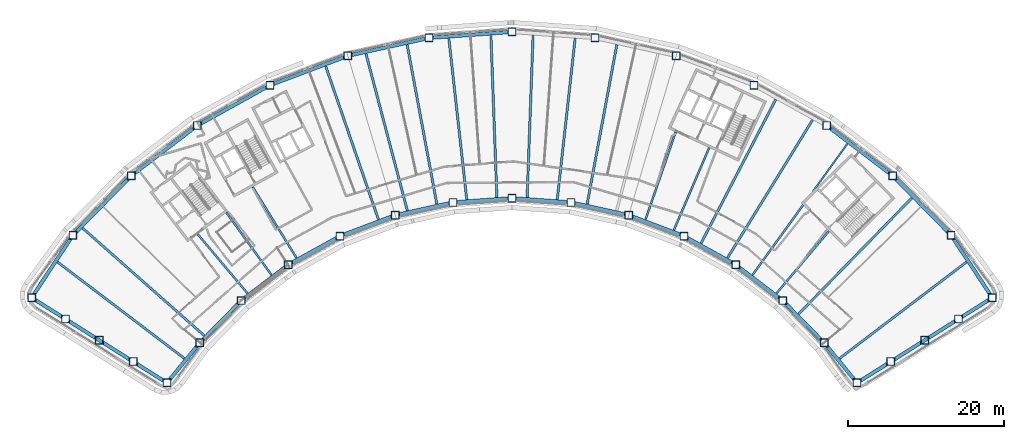
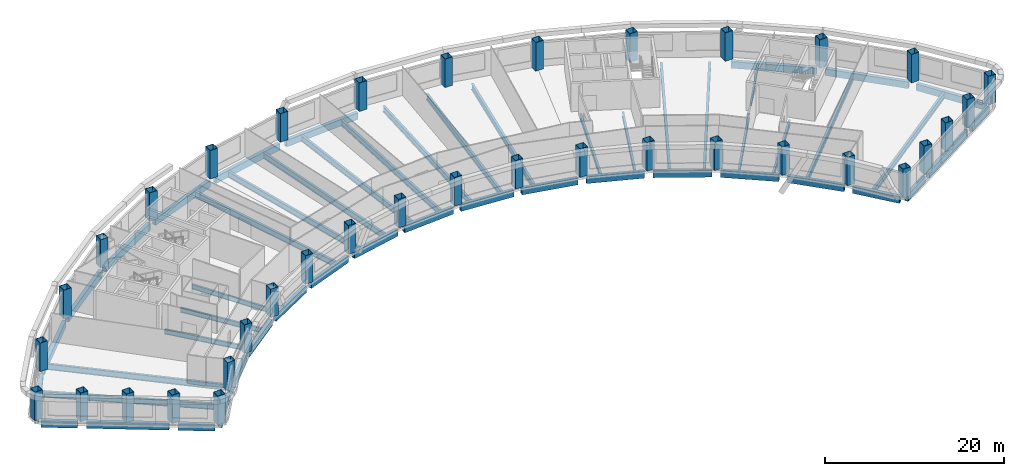
# One storey, part 1 of 11: 52 beams, 36 columns.
"""IFC4 building model written with IfcOpenShell, lengths in metres."""

from ifc_helpers import new_model, si_unit, direction, frame, origin, origin_2d, place, context, subcontext, project, spatial, hollow_rectangle, i_section, extrude, material, material_profile, profile_set, type_object, element, save


model = new_model("IFC4")

# Units and contexts
model_context = context("Model", 3, precision=1e-05, world=origin(), true_north=direction((0.0, 1.0)))
body_context = subcontext(model_context, "Body", "Model", "MODEL_VIEW")
ifc_project = project(units=[si_unit("LENGTHUNIT", "METRE"), si_unit("AREAUNIT", "SQUARE_METRE"), si_unit("VOLUMEUNIT", "CUBIC_METRE"), si_unit("PLANEANGLEUNIT", "RADIAN"), si_unit("MASSUNIT", "GRAM", prefix="KILO")], contexts=[model_context])

# Site, building, storey
site_placement = place(None, origin())
site = spatial("IfcSite", under=ifc_project, at=site_placement, CompositionType="ELEMENT")
building_placement = place(site_placement, origin())
building = spatial("IfcBuilding", under=site, at=building_placement, Name="Tuul Gate Civic Tower", CompositionType="ELEMENT")
storey_placement = place(building_placement, frame((0.0, 0.0, 159.199951171875)))
storey = spatial("IfcBuildingStorey", under=building, at=storey_placement, Name="Level 36", CompositionType="ELEMENT", Elevation=159.199951171875)

# Columns
ifc_material_1 = material(Name="Steel S355", Category="steel")
ifc_material_profile_1 = material_profile(ifc_material_1, hollow_rectangle(XDim=1.0, YDim=1.0, WallThickness=0.0400390625, at=origin_2d()), Name="BOX1000x1000x40")
ifc_profile_set_1 = profile_set([ifc_material_profile_1], Name="Steel S355")
column_type = type_object("IfcColumnType", Name="STR-COLUMN-BOX1000x1000x40", PredefinedType="COLUMN", material=ifc_profile_set_1)
for number, where, z_axis, x_axis, name in (
    (1, (67.044921875, -24.89697265625, 0.0), (0.0, 0.0, 1.0), (1.0, 0.0, 0.0), "Column"),
    (2, (61.74609375, -16.884033203125, 0.0), (0.0, 0.0, 1.0), (1.0, 0.0, 0.0), "Column"),
    (3, (54.27197265625, -9.259033203125, 0.0), (0.0, 0.0, 1.0), (1.0, 0.0, 0.0), "Column"),
    (4, (45.77587890625, -2.791015625, 0.0), (0.0, 0.0, 1.0), (1.0, 0.0, 0.0), "Column"),
    (5, (36.43798828125, 2.385009765625, 0.0), (0.0, 0.0, 1.0), (1.0, 0.0, 0.0), "Column"),
    (6, (26.450927734375, 6.162109375, 0.0), (0.0, 0.0, 1.0), (1.0, 0.0, 0.0), "Column"),
    (7, (16.02294921875, 8.4599609375, 0.0), (0.0, 0.0, 1.0), (1.0, 0.0, 0.0), "Column"),
    (8, (5.3740234375, 9.23193359375, 0.0), (0.0, 0.0, 1.0), (1.0, 0.0, 0.0), "Column"),
    (9, (-5.27490234375, 8.4599609375, 0.0), (0.0, 0.0, 1.0), (1.0, 0.0, 0.0), "Column"),
    (10, (-15.702880859375, 6.162109375, 0.0), (0.0, 0.0, 1.0), (1.0, 0.0, 0.0), "Column"),
    (11, (-25.68994140625, 2.385009765625, 0.0), (0.0, 0.0, 1.0), (1.0, 0.0, 0.0), "Column"),
    (12, (-35.028076171875, -2.791015625, 0.0), (0.0, 0.0, 1.0), (1.0, 0.0, 0.0), "Column"),
    (13, (-43.52392578125, -9.259033203125, 0.0), (0.0, 0.0, 1.0), (1.0, 0.0, 0.0), "Column"),
    (14, (-50.998046875, -16.884033203125, 0.0), (0.0, 0.0, 1.0), (1.0, 0.0, 0.0), "Column"),
    (15, (-56.297119140625, -24.89697265625, 0.0), (0.0, 0.0, 1.0), (1.0, 0.0, 0.0), "Column"),
    (16, (-51.9541015625, -27.631103515625, 0.0), (0.0, 0.0, 1.0), (1.0, 0.0, 0.0), "Column"),
    (17, (-47.612060546875, -30.365966796875, 0.0), (0.0, 0.0, 1.0), (1.0, 0.0, 0.0), "Column"),
    (18, (-43.26904296875, -33.10009765625, 0.0), (0.0, 0.0, 1.0), (1.0, 0.0, 0.0), "Column"),
    (19, (-38.927001953125, -35.8349609375, 0.0), (0.0, 0.0, 1.0), (1.0, 0.0, 0.0), "Column"),
    (20, (-34.70703125, -30.693115234375, 0.0), (0.0, 0.0, 1.0), (1.0, 0.0, 0.0), "Column"),
    (21, (-29.39306640625, -25.27099609375, 0.0), (0.0, 0.0, 1.0), (1.0, 0.0, 0.0), "Column"),
    (22, (-23.35302734375, -20.672119140625, 0.0), (0.0, 0.0, 1.0), (1.0, 0.0, 0.0), "Column"),
    (23, (-16.712890625, -16.991943359375, 0.0), (0.0, 0.0, 1.0), (1.0, 0.0, 0.0), "Column"),
    (24, (-9.612060546875, -14.306884765625, 0.0), (0.0, 0.0, 1.0), (1.0, 0.0, 0.0), "Column"),
    (25, (-2.197998046875, -12.673095703125, 0.0), (0.0, 0.0, 1.0), (1.0, 0.0, 0.0), "Column"),
    (26, (5.3740234375, -12.1240234375, 0.0), (0.0, 0.0, 1.0), (1.0, 0.0, 0.0), "Column"),
    (27, (12.946044921875, -12.673095703125, 0.0), (0.0, 0.0, 1.0), (1.0, 0.0, 0.0), "Column"),
    (28, (20.360107421875, -14.306884765625, 0.0), (0.0, 0.0, 1.0), (1.0, 0.0, 0.0), "Column"),
    (29, (27.4609375, -16.991943359375, 0.0), (0.0, 0.0, 1.0), (1.0, 0.0, 0.0), "Column"),
    (30, (34.10107421875, -20.672119140625, 0.0), (0.0, 0.0, 1.0), (1.0, 0.0, 0.0), "Column"),
    (31, (40.14111328125, -25.27099609375, 0.0), (0.0, 0.0, 1.0), (1.0, 0.0, 0.0), "Column"),
    (32, (45.455078125, -30.693115234375, 0.0), (0.0, 0.0, 1.0), (1.0, 0.0, 0.0), "Column"),
    (33, (49.675048828125, -35.8349609375, 0.0), (0.0, 0.0, 1.0), (1.0, 0.0, 0.0), "Column"),
    (34, (54.01708984375, -33.10009765625, 0.0), (0.0, 0.0, 1.0), (1.0, 0.0, 0.0), "Column"),
    (35, (58.360107421875, -30.365966796875, 0.0), (0.0, 0.0, 1.0), (1.0, 0.0, 0.0), "Column"),
    (36, (62.701904296875, -27.631103515625, 0.0), (0.0, 0.0, 1.0), (1.0, 0.0, 0.0), "Column"),
):
    element("IfcColumn", number, at=place(storey_placement, frame(where, z_axis=z_axis, x_axis=x_axis)), inside=storey, type_object=column_type, Name=name, PredefinedType="COLUMN", context=body_context, shape_type="SweptSolid", body=[
        extrude(hollow_rectangle(XDim=1.0, YDim=1.0, WallThickness=0.0400390625, at=origin_2d()), origin(), (0.0, 0.0, 1.0), 3.900146484375),
    ])

# Beams
ifc_material_2 = material(Name="Steel S355", Category="steel")
ifc_material_profile_2 = material_profile(ifc_material_2, i_section(OverallWidth=0.199951171875, OverallDepth=0.5, WebThickness=0.010009765625, FlangeThickness=0.01611328125, at=origin_2d()), Name="PG500x200x10x16")
ifc_profile_set_2 = profile_set([ifc_material_profile_2], Name="Steel S355")
beam_type_1 = type_object("IfcBeamType", Name="STR-FLOOR BEAM-PG500x200x10x16", PredefinedType="BEAM", material=ifc_profile_set_2)
beam_1_placement = place(storey_placement, frame((43.999267578125, -11.26806640625, -0.550048828125), z_axis=(0.586082415156, 0.810251444087, 0.0), x_axis=(-0.810251444087, 0.586082415156, 0.0)))
element("IfcBeam", 37, at=beam_1_placement, inside=storey, type_object=beam_type_1, Name="Floor beam", PredefinedType="BEAM", context=body_context, shape_type="SweptSolid", body=[
    extrude(i_section(OverallWidth=0.199951171875, OverallDepth=0.5, WebThickness=0.010009765625, FlangeThickness=0.01611328125, at=origin_2d()), origin(), (0.0, 0.0, 1.0), 7.573486328125),
])
ifc_material_3 = material(Name="Steel S355", Category="steel")
ifc_material_profile_3 = material_profile(ifc_material_3, i_section(OverallWidth=0.25, OverallDepth=0.64990234375, WebThickness=0.011962890625, FlangeThickness=0.02001953125, at=origin_2d()), Name="PG650x250x12x20")
ifc_profile_set_3 = profile_set([ifc_material_profile_3], Name="Steel S355")
beam_type_2 = type_object("IfcBeamType", Name="STR-FLOOR BEAM-PG650x250x12x20", PredefinedType="BEAM", material=ifc_profile_set_3)
beam_2_placement = place(storey_placement, frame((39.332275390625, -24.341064453125, -0.625), z_axis=(0.644139340378, 0.764908171075, 0.0), x_axis=(-0.764908171075, 0.644139340378, 0.0)))
element("IfcBeam", 38, at=beam_2_placement, inside=storey, type_object=beam_type_2, Name="Floor beam", PredefinedType="BEAM", context=body_context, shape_type="SweptSolid", body=[
    extrude(i_section(OverallWidth=0.25, OverallDepth=0.64990234375, WebThickness=0.011962890625, FlangeThickness=0.02001953125, at=origin_2d()), origin(), (0.0, 0.0, 1.0), 10.45751953125),
])
beam_3_placement = place(storey_placement, frame((36.244140625, -21.989501953125, -0.625), z_axis=(0.586079949971, 0.810253227234, 0.0), x_axis=(-0.810253227234, 0.586079949971, 0.0)))
element("IfcBeam", 39, at=beam_3_placement, inside=storey, type_object=beam_type_2, Name="Floor beam", PredefinedType="BEAM", context=body_context, shape_type="SweptSolid", body=[
    extrude(i_section(OverallWidth=0.25, OverallDepth=0.64990234375, WebThickness=0.011962890625, FlangeThickness=0.02001953125, at=origin_2d()), origin(), (0.0, 0.0, 1.0), 11.128173828125),
])
beam_4_placement = place(storey_placement, frame((26.150634765625, -16.229248046875, -0.625), z_axis=(0.394192627131, 0.919027841099, 0.0), x_axis=(-0.919027841099, 0.394192627131, 0.0)))
element("IfcBeam", 40, at=beam_4_placement, inside=storey, type_object=beam_type_2, Name="Floor beam", PredefinedType="BEAM", context=body_context, shape_type="SweptSolid", body=[
    extrude(i_section(OverallWidth=0.25, OverallDepth=0.64990234375, WebThickness=0.011962890625, FlangeThickness=0.02001953125, at=origin_2d()), origin(), (0.0, 0.0, 1.0), 11.533935546875),
])
beam_5_placement = place(storey_placement, frame((22.520263671875, -14.8564453125, -0.625), z_axis=(0.32548222654, 0.945548158587, 0.0), x_axis=(-0.945548158587, 0.32548222654, 0.0)))
element("IfcBeam", 41, at=beam_5_placement, inside=storey, type_object=beam_type_2, Name="Floor beam", PredefinedType="BEAM", context=body_context, shape_type="SweptSolid", body=[
    extrude(i_section(OverallWidth=0.25, OverallDepth=0.64990234375, WebThickness=0.011962890625, FlangeThickness=0.02001953125, at=origin_2d()), origin(), (0.0, 0.0, 1.0), 11.883544921875),
])
beam_6_placement = place(storey_placement, frame((-22.29248046875, -19.79833984375, -0.625), z_axis=(-0.524846383073, 0.851196965558, 0.0), x_axis=(-0.851196965558, -0.524846383073, 0.0)))
element("IfcBeam", 42, at=beam_6_placement, inside=storey, type_object=beam_type_2, Name="Floor beam", PredefinedType="BEAM", context=body_context, shape_type="SweptSolid", body=[
    extrude(i_section(OverallWidth=0.25, OverallDepth=0.64990234375, WebThickness=0.011962890625, FlangeThickness=0.02001953125, at=origin_2d()), origin(), (0.0, 0.0, 1.0), 10.7275390625),
])
beam_7_placement = place(storey_placement, frame((-25.49609375, -21.989501953125, -0.625), z_axis=(-0.586076139419, 0.810255983504, 0.0), x_axis=(-0.810255983504, -0.586076139419, 0.0)))
element("IfcBeam", 43, at=beam_7_placement, inside=storey, type_object=beam_type_2, Name="Floor beam", PredefinedType="BEAM", context=body_context, shape_type="SweptSolid", body=[
    extrude(i_section(OverallWidth=0.25, OverallDepth=0.64990234375, WebThickness=0.011962890625, FlangeThickness=0.02001953125, at=origin_2d()), origin(), (0.0, 0.0, 1.0), 9.922119140625),
])
beam_8_placement = place(storey_placement, frame((-28.584228515625, -24.341064453125, -0.625), z_axis=(-0.644136502782, 0.764910560644, 0.0), x_axis=(-0.764910560644, -0.644136502782, 0.0)))
element("IfcBeam", 44, at=beam_8_placement, inside=storey, type_object=beam_type_2, Name="Floor beam", PredefinedType="BEAM", context=body_context, shape_type="SweptSolid", body=[
    extrude(i_section(OverallWidth=0.25, OverallDepth=0.64990234375, WebThickness=0.011962890625, FlangeThickness=0.02001953125, at=origin_2d()), origin(), (0.0, 0.0, 1.0), 9.931396484375),
])
ifc_material_4 = material(Name="Steel S355", Category="steel")
ifc_material_profile_4 = material_profile(ifc_material_4, i_section(OverallWidth=0.300048828125, OverallDepth=0.800048828125, WebThickness=0.013916015625, FlangeThickness=0.02490234375, at=origin_2d()), Name="PG800x300x14x25")
ifc_profile_set_4 = profile_set([ifc_material_profile_4], Name="Steel S355")
beam_type_3 = type_object("IfcBeamType", Name="STR-FLOOR BEAM-PG800x300x14x25", PredefinedType="BEAM", material=ifc_profile_set_4)
beam_9_placement = place(storey_placement, frame((47.4287109375, -32.703857421875, -0.699951171875), z_axis=(0.796150928405, 0.60509809056, 0.0), x_axis=(-0.60509809056, 0.796150928405, 0.0)))
element("IfcBeam", 45, at=beam_9_placement, inside=storey, type_object=beam_type_3, Name="Floor beam", PredefinedType="BEAM", context=body_context, shape_type="SweptSolid", body=[
    extrude(i_section(OverallWidth=0.300048828125, OverallDepth=0.800048828125, WebThickness=0.013916015625, FlangeThickness=0.02490234375, at=origin_2d()), origin(), (0.0, 0.0, 1.0), 20.462646484375),
])
beam_10_placement = place(storey_placement, frame((42.172607421875, -26.986572265625, -0.699951171875), z_axis=(0.698684495675, 0.715429923544, 0.0), x_axis=(-0.715429923544, 0.698684495675, 0.0)))
element("IfcBeam", 46, at=beam_10_placement, inside=storey, type_object=beam_type_3, Name="Floor beam", PredefinedType="BEAM", context=body_context, shape_type="SweptSolid", body=[
    extrude(i_section(OverallWidth=0.300048828125, OverallDepth=0.800048828125, WebThickness=0.013916015625, FlangeThickness=0.02490234375, at=origin_2d()), origin(), (0.0, 0.0, 1.0), 20.804931640625),
])
beam_11_placement = place(storey_placement, frame((33.040283203125, -19.79833984375, -0.699951171875), z_axis=(0.524860669537, 0.851188156387, 0.0), x_axis=(-0.851188156387, 0.524860669537, 0.0)))
element("IfcBeam", 47, at=beam_11_placement, inside=storey, type_object=beam_type_3, Name="Floor beam", PredefinedType="BEAM", context=body_context, shape_type="SweptSolid", body=[
    extrude(i_section(OverallWidth=0.300048828125, OverallDepth=0.800048828125, WebThickness=0.013916015625, FlangeThickness=0.02490234375, at=origin_2d()), origin(), (0.0, 0.0, 1.0), 20.821533203125),
])
beam_12_placement = place(storey_placement, frame((29.6455078125, -17.916748046875, -0.699951171875), z_axis=(0.460777413818, 0.887515732207, 0.0), x_axis=(-0.887515732207, 0.460777413818, 0.0)))
element("IfcBeam", 48, at=beam_12_placement, inside=storey, type_object=beam_type_3, Name="Floor beam", PredefinedType="BEAM", context=body_context, shape_type="SweptSolid", body=[
    extrude(i_section(OverallWidth=0.300048828125, OverallDepth=0.800048828125, WebThickness=0.013916015625, FlangeThickness=0.02490234375, at=origin_2d()), origin(), (0.0, 0.0, 1.0), 20.80712890625),
])
beam_13_placement = place(storey_placement, frame((15.0224609375, -12.874755859375, -0.699951171875), z_axis=(0.183147342328, 0.98308547492, 0.0), x_axis=(-0.98308547492, 0.183147342328, 0.0)))
element("IfcBeam", 49, at=beam_13_placement, inside=storey, type_object=beam_type_3, Name="Floor beam", PredefinedType="BEAM", context=body_context, shape_type="SweptSolid", body=[
    extrude(i_section(OverallWidth=0.300048828125, OverallDepth=0.800048828125, WebThickness=0.013916015625, FlangeThickness=0.02490234375, at=origin_2d()), origin(), (0.0, 0.0, 1.0), 20.811279296875),
])
beam_14_placement = place(storey_placement, frame((11.185302734375, -12.294677734375, -0.699951171875), z_axis=(0.110287344613, 0.993899744249, 0.0), x_axis=(-0.993899744249, 0.110287344613, 0.0)))
element("IfcBeam", 50, at=beam_14_placement, inside=storey, type_object=beam_type_3, Name="Floor beam", PredefinedType="BEAM", context=body_context, shape_type="SweptSolid", body=[
    extrude(i_section(OverallWidth=0.300048828125, OverallDepth=0.800048828125, WebThickness=0.013916015625, FlangeThickness=0.02490234375, at=origin_2d()), origin(), (0.0, 0.0, 1.0), 20.815185546875),
])
for number, where, z_axis, x_axis, name in (
    (51, (7.314453125, -12.013916015625, -0.699951171875), (0.036820764609, 0.999321885727, 0.0), (-0.999321885727, 0.036820764609, 0.0), "Floor beam"),
    (52, (3.43359375, -12.013916015625, -0.699951171875), (-0.036832478792, 0.999321454041, 0.0), (-0.999321454041, -0.036832478792, 0.0), "Floor beam"),
):
    element("IfcBeam", number, at=place(storey_placement, frame(where, z_axis=z_axis, x_axis=x_axis)), inside=storey, type_object=beam_type_3, Name=name, PredefinedType="BEAM", context=body_context, shape_type="SweptSolid", body=[
        extrude(i_section(OverallWidth=0.300048828125, OverallDepth=0.800048828125, WebThickness=0.013916015625, FlangeThickness=0.02490234375, at=origin_2d()), origin(), (0.0, 0.0, 1.0), 20.813232421875),
    ])
beam_15_placement = place(storey_placement, frame((-0.437255859375, -12.294677734375, -0.699951171875), z_axis=(-0.110287344613, 0.993899744249, 0.0), x_axis=(-0.993899744249, -0.110287344613, 0.0)))
element("IfcBeam", 53, at=beam_15_placement, inside=storey, type_object=beam_type_3, Name="Floor beam", PredefinedType="BEAM", context=body_context, shape_type="SweptSolid", body=[
    extrude(i_section(OverallWidth=0.300048828125, OverallDepth=0.800048828125, WebThickness=0.013916015625, FlangeThickness=0.02490234375, at=origin_2d()), origin(), (0.0, 0.0, 1.0), 20.815185546875),
])
beam_16_placement = place(storey_placement, frame((-4.2744140625, -12.874755859375, -0.699951171875), z_axis=(-0.183147342328, 0.98308547492, 0.0), x_axis=(-0.98308547492, -0.183147342328, 0.0)))
element("IfcBeam", 54, at=beam_16_placement, inside=storey, type_object=beam_type_3, Name="Floor beam", PredefinedType="BEAM", context=body_context, shape_type="SweptSolid", body=[
    extrude(i_section(OverallWidth=0.300048828125, OverallDepth=0.800048828125, WebThickness=0.013916015625, FlangeThickness=0.02490234375, at=origin_2d()), origin(), (0.0, 0.0, 1.0), 20.811279296875),
])
beam_17_placement = place(storey_placement, frame((-8.064697265625, -13.7099609375, -0.699951171875), z_axis=(-0.255004720301, 0.96693980817, 0.0), x_axis=(-0.96693980817, -0.255004720301, 0.0)))
element("IfcBeam", 55, at=beam_17_placement, inside=storey, type_object=beam_type_3, Name="Floor beam", PredefinedType="BEAM", context=body_context, shape_type="SweptSolid", body=[
    extrude(i_section(OverallWidth=0.300048828125, OverallDepth=0.800048828125, WebThickness=0.013916015625, FlangeThickness=0.02490234375, at=origin_2d()), origin(), (0.0, 0.0, 1.0), 20.817626953125),
])
beam_18_placement = place(storey_placement, frame((-11.772216796875, -14.8564453125, -0.699951171875), z_axis=(-0.325486974479, 0.945546524209, 0.0), x_axis=(-0.945546524209, -0.325486974479, 0.0)))
element("IfcBeam", 56, at=beam_18_placement, inside=storey, type_object=beam_type_3, Name="Floor beam", PredefinedType="BEAM", context=body_context, shape_type="SweptSolid", body=[
    extrude(i_section(OverallWidth=0.300048828125, OverallDepth=0.800048828125, WebThickness=0.013916015625, FlangeThickness=0.02490234375, at=origin_2d()), origin(), (0.0, 0.0, 1.0), 20.809326171875),
])
beam_19_placement = place(storey_placement, frame((-34.1416015625, -29.759033203125, -0.699951171875), z_axis=(-0.749453243269, 0.662057275584, 0.0), x_axis=(-0.662057275584, -0.749453243269, 0.0)))
element("IfcBeam", 57, at=beam_19_placement, inside=storey, type_object=beam_type_3, Name="Floor beam", PredefinedType="BEAM", context=body_context, shape_type="SweptSolid", body=[
    extrude(i_section(OverallWidth=0.300048828125, OverallDepth=0.800048828125, WebThickness=0.013916015625, FlangeThickness=0.02490234375, at=origin_2d()), origin(), (0.0, 0.0, 1.0), 20.828369140625),
])
beam_20_placement = place(storey_placement, frame((-36.6806640625, -32.703857421875, -0.699951171875), z_axis=(-0.796150928405, 0.60509809056, 0.0), x_axis=(-0.60509809056, -0.796150928405, 0.0)))
element("IfcBeam", 58, at=beam_20_placement, inside=storey, type_object=beam_type_3, Name="Floor beam", PredefinedType="BEAM", context=body_context, shape_type="SweptSolid", body=[
    extrude(i_section(OverallWidth=0.300048828125, OverallDepth=0.800048828125, WebThickness=0.013916015625, FlangeThickness=0.02490234375, at=origin_2d()), origin(), (0.0, 0.0, 1.0), 20.462646484375),
])
ifc_material_5 = material(Name="Steel S355", Category="steel")
ifc_material_profile_5 = material_profile(ifc_material_5, hollow_rectangle(XDim=0.449951171875, YDim=0.89990234375, WallThickness=0.02490234375, at=origin_2d()), Name="BOX900x450x25")
ifc_profile_set_5 = profile_set([ifc_material_profile_5], Name="Steel S355")
beam_type_4 = type_object("IfcBeamType", Name="STR-SPANDREL BEAM-BOX900x450x25", PredefinedType="BEAM", material=ifc_profile_set_5)
beam_21_placement = place(storey_placement, frame((66.769287109375, -24.47998046875, -0.75), z_axis=(-0.551606651845, 0.834104370951, 0.0), x_axis=(-0.834104370951, -0.551606651845, 0.0)))
element("IfcBeam", 59, at=beam_21_placement, inside=storey, type_object=beam_type_4, Name="Spandrel beam", PredefinedType="BEAM", context=body_context, shape_type="SweptSolid", body=[
    extrude(hollow_rectangle(XDim=0.449951171875, YDim=0.89990234375, WallThickness=0.02490234375, at=origin_2d()), origin(), (0.0, 0.0, 1.0), 8.606689453125),
])
beam_22_placement = place(storey_placement, frame((61.39599609375, -16.52685546875, -0.75), z_axis=(-0.699994726763, 0.714148011622, 0.0), x_axis=(-0.714148011622, -0.699994726763, 0.0)))
element("IfcBeam", 60, at=beam_22_placement, inside=storey, type_object=beam_type_4, Name="Spandrel beam", PredefinedType="BEAM", context=body_context, shape_type="SweptSolid", body=[
    extrude(hollow_rectangle(XDim=0.449951171875, YDim=0.89990234375, WallThickness=0.02490234375, at=origin_2d()), origin(), (0.0, 0.0, 1.0), 9.677001953125),
])
beam_23_placement = place(storey_placement, frame((53.874267578125, -8.9560546875, -0.75), z_axis=(-0.795665611116, 0.605736110273, 0.0), x_axis=(-0.605736110273, -0.795665611116, 0.0)))
element("IfcBeam", 61, at=beam_23_placement, inside=storey, type_object=beam_type_4, Name="Spandrel beam", PredefinedType="BEAM", context=body_context, shape_type="SweptSolid", body=[
    extrude(hollow_rectangle(XDim=0.449951171875, YDim=0.89990234375, WallThickness=0.02490234375, at=origin_2d()), origin(), (0.0, 0.0, 1.0), 9.677978515625),
])
beam_24_placement = place(storey_placement, frame((4.875244140625, 9.19580078125, -0.75), z_axis=(-0.997382449667, -0.072306632453, 0.0), x_axis=(0.072306632453, -0.997382449667, 0.0)))
element("IfcBeam", 62, at=beam_24_placement, inside=storey, type_object=beam_type_4, Name="Spandrel beam", PredefinedType="BEAM", context=body_context, shape_type="SweptSolid", body=[
    extrude(hollow_rectangle(XDim=0.449951171875, YDim=0.89990234375, WallThickness=0.02490234375, at=origin_2d()), origin(), (0.0, 0.0, 1.0), 9.677001953125),
])
beam_25_placement = place(storey_placement, frame((-5.76318359375, 8.352294921875, -0.75), z_axis=(-0.976569557508, -0.215201996619, 0.0), x_axis=(0.215201996619, -0.976569557508, 0.0)))
element("IfcBeam", 63, at=beam_25_placement, inside=storey, type_object=beam_type_4, Name="Spandrel beam", PredefinedType="BEAM", context=body_context, shape_type="SweptSolid", body=[
    extrude(hollow_rectangle(XDim=0.449951171875, YDim=0.89990234375, WallThickness=0.02490234375, at=origin_2d()), origin(), (0.0, 0.0, 1.0), 9.67822265625),
])
beam_26_placement = place(storey_placement, frame((-16.170654296875, 5.985107421875, -0.75), z_axis=(-0.935342665374, -0.353742983436, 0.0), x_axis=(0.353742983436, -0.935342665374, 0.0)))
element("IfcBeam", 64, at=beam_26_placement, inside=storey, type_object=beam_type_4, Name="Spandrel beam", PredefinedType="BEAM", context=body_context, shape_type="SweptSolid", body=[
    extrude(hollow_rectangle(XDim=0.449951171875, YDim=0.89990234375, WallThickness=0.02490234375, at=origin_2d()), origin(), (0.0, 0.0, 1.0), 9.677490234375),
])
beam_27_placement = place(storey_placement, frame((-26.127197265625, 2.142578125, -0.75), z_axis=(-0.874626955885, -0.484796542933, 0.0), x_axis=(0.484796542933, -0.874626955885, 0.0)))
element("IfcBeam", 65, at=beam_27_placement, inside=storey, type_object=beam_type_4, Name="Spandrel beam", PredefinedType="BEAM", context=body_context, shape_type="SweptSolid", body=[
    extrude(hollow_rectangle(XDim=0.449951171875, YDim=0.89990234375, WallThickness=0.02490234375, at=origin_2d()), origin(), (0.0, 0.0, 1.0), 9.676513671875),
])
beam_28_placement = place(storey_placement, frame((-35.42578125, -3.09375, -0.75), z_axis=(-0.795665611116, -0.605736110273, 0.0), x_axis=(0.605736110273, -0.795665611116, 0.0)))
element("IfcBeam", 66, at=beam_28_placement, inside=storey, type_object=beam_type_4, Name="Spandrel beam", PredefinedType="BEAM", context=body_context, shape_type="SweptSolid", body=[
    extrude(hollow_rectangle(XDim=0.449951171875, YDim=0.89990234375, WallThickness=0.02490234375, at=origin_2d()), origin(), (0.0, 0.0, 1.0), 9.677978515625),
])
beam_29_placement = place(storey_placement, frame((-43.8740234375, -9.615966796875, -0.75), z_axis=(-0.699994726763, -0.714148011622, 0.0), x_axis=(0.714148011622, -0.699994726763, 0.0)))
element("IfcBeam", 67, at=beam_29_placement, inside=storey, type_object=beam_type_4, Name="Spandrel beam", PredefinedType="BEAM", context=body_context, shape_type="SweptSolid", body=[
    extrude(hollow_rectangle(XDim=0.449951171875, YDim=0.89990234375, WallThickness=0.02490234375, at=origin_2d()), origin(), (0.0, 0.0, 1.0), 9.677001953125),
])
beam_30_placement = place(storey_placement, frame((-51.273681640625, -17.301025390625, -0.75), z_axis=(-0.551606651845, -0.834104370951, 0.0), x_axis=(0.834104370951, -0.551606651845, 0.0)))
element("IfcBeam", 68, at=beam_30_placement, inside=storey, type_object=beam_type_4, Name="Spandrel beam", PredefinedType="BEAM", context=body_context, shape_type="SweptSolid", body=[
    extrude(hollow_rectangle(XDim=0.449951171875, YDim=0.89990234375, WallThickness=0.02490234375, at=origin_2d()), origin(), (0.0, 0.0, 1.0), 8.606689453125),
])
beam_31_placement = place(storey_placement, frame((-55.873779296875, -25.163330078125, -0.75), z_axis=(0.846247640598, -0.532789762273, 0.0), x_axis=(0.532789762273, 0.846247640598, 0.0)))
element("IfcBeam", 69, at=beam_31_placement, inside=storey, type_object=beam_type_4, Name="Spandrel beam", PredefinedType="BEAM", context=body_context, shape_type="SweptSolid", body=[
    extrude(hollow_rectangle(XDim=0.449951171875, YDim=0.89990234375, WallThickness=0.02490234375, at=origin_2d()), origin(), (0.0, 0.0, 1.0), 4.1318359375),
])
beam_32_placement = place(storey_placement, frame((-51.531005859375, -27.8974609375, -0.75), z_axis=(0.846210833603, -0.532848219565, 0.0), x_axis=(0.532848219565, 0.846210833603, 0.0)))
element("IfcBeam", 70, at=beam_32_placement, inside=storey, type_object=beam_type_4, Name="Spandrel beam", PredefinedType="BEAM", context=body_context, shape_type="SweptSolid", body=[
    extrude(hollow_rectangle(XDim=0.449951171875, YDim=0.89990234375, WallThickness=0.02490234375, at=origin_2d()), origin(), (0.0, 0.0, 1.0), 9.263427734375),
])
beam_33_placement = place(storey_placement, frame((-42.845947265625, -33.366455078125, -0.75), z_axis=(0.846117367302, -0.532996623582, 0.0), x_axis=(0.532996623582, 0.846117367302, 0.0)))
element("IfcBeam", 71, at=beam_33_placement, inside=storey, type_object=beam_type_4, Name="Spandrel beam", PredefinedType="BEAM", context=body_context, shape_type="SweptSolid", body=[
    extrude(hollow_rectangle(XDim=0.449951171875, YDim=0.89990234375, WallThickness=0.02490234375, at=origin_2d()), origin(), (0.0, 0.0, 1.0), 4.131591796875),
])
beam_34_placement = place(storey_placement, frame((-38.60986328125, -35.448486328125, -0.75), z_axis=(0.634417883175, 0.772990264821, 0.0), x_axis=(-0.772990264821, 0.634417883175, 0.0)))
element("IfcBeam", 72, at=beam_34_placement, inside=storey, type_object=beam_type_4, Name="Spandrel beam", PredefinedType="BEAM", context=body_context, shape_type="SweptSolid", body=[
    extrude(hollow_rectangle(XDim=0.449951171875, YDim=0.89990234375, WallThickness=0.02490234375, at=origin_2d()), origin(), (0.0, 0.0, 1.0), 5.65185546875),
])
beam_35_placement = place(storey_placement, frame((-34.35693359375, -30.3359375, -0.75), z_axis=(0.699959943252, 0.714182104118, 0.0), x_axis=(-0.714182104118, 0.699959943252, 0.0)))
element("IfcBeam", 73, at=beam_35_placement, inside=storey, type_object=beam_type_4, Name="Spandrel beam", PredefinedType="BEAM", context=body_context, shape_type="SweptSolid", body=[
    extrude(hollow_rectangle(XDim=0.449951171875, YDim=0.89990234375, WallThickness=0.02490234375, at=origin_2d()), origin(), (0.0, 0.0, 1.0), 6.591796875),
])
for number, where, z_axis, x_axis, name in (
    (74, (-28.9951171875, -24.968017578125, -0.75), (0.795618733299, 0.605797681758, 0.0), (-0.605797681758, 0.795618733299, 0.0), "Spandrel beam"),
    (75, (-22.915771484375, -20.4296875, -0.75), (0.874651244821, 0.484752720399, 0.0), (-0.484752720399, 0.874651244821, 0.0), "Spandrel beam"),
):
    element("IfcBeam", number, at=place(storey_placement, frame(where, z_axis=z_axis, x_axis=x_axis)), inside=storey, type_object=beam_type_4, Name=name, PredefinedType="BEAM", context=body_context, shape_type="SweptSolid", body=[
        extrude(hollow_rectangle(XDim=0.449951171875, YDim=0.89990234375, WallThickness=0.02490234375, at=origin_2d()), origin(), (0.0, 0.0, 1.0), 6.591552734375),
    ])
beam_36_placement = place(storey_placement, frame((-16.245361328125, -16.815185546875, -0.75), z_axis=(0.935371380161, 0.353667048472, 0.0), x_axis=(-0.353667048472, 0.935371380161, 0.0)))
element("IfcBeam", 76, at=beam_36_placement, inside=storey, type_object=beam_type_4, Name="Spandrel beam", PredefinedType="BEAM", context=body_context, shape_type="SweptSolid", body=[
    extrude(hollow_rectangle(XDim=0.449951171875, YDim=0.89990234375, WallThickness=0.02490234375, at=origin_2d()), origin(), (0.0, 0.0, 1.0), 6.591796875),
])
beam_37_placement = place(storey_placement, frame((-9.123779296875, -14.199462890625, -0.75), z_axis=(0.97655858912, 0.215251764258, 0.0), x_axis=(-0.215251764258, 0.97655858912, 0.0)))
element("IfcBeam", 77, at=beam_37_placement, inside=storey, type_object=beam_type_4, Name="Spandrel beam", PredefinedType="BEAM", context=body_context, shape_type="SweptSolid", body=[
    extrude(hollow_rectangle(XDim=0.449951171875, YDim=0.89990234375, WallThickness=0.02490234375, at=origin_2d()), origin(), (0.0, 0.0, 1.0), 6.592041015625),
])
for number, where, z_axis, x_axis, name in (
    (78, (-1.69921875, -12.636962890625, -0.75), (0.997380460519, 0.072334065112, 0.0), (-0.072334065112, 0.997380460519, 0.0), "Spandrel beam"),
    (79, (5.872802734375, -12.16015625, -0.75), (0.997380460519, -0.072334065112, 0.0), (0.072334065112, 0.997380460519, 0.0), "Spandrel beam"),
):
    element("IfcBeam", number, at=place(storey_placement, frame(where, z_axis=z_axis, x_axis=x_axis)), inside=storey, type_object=beam_type_4, Name=name, PredefinedType="BEAM", context=body_context, shape_type="SweptSolid", body=[
        extrude(hollow_rectangle(XDim=0.449951171875, YDim=0.89990234375, WallThickness=0.02490234375, at=origin_2d()), origin(), (0.0, 0.0, 1.0), 6.591796875),
    ])
beam_38_placement = place(storey_placement, frame((13.434326171875, -12.780517578125, -0.75), z_axis=(0.97655858912, -0.215251764258, 0.0), x_axis=(0.215251764258, 0.97655858912, 0.0)))
element("IfcBeam", 80, at=beam_38_placement, inside=storey, type_object=beam_type_4, Name="Spandrel beam", PredefinedType="BEAM", context=body_context, shape_type="SweptSolid", body=[
    extrude(hollow_rectangle(XDim=0.449951171875, YDim=0.89990234375, WallThickness=0.02490234375, at=origin_2d()), origin(), (0.0, 0.0, 1.0), 6.592041015625),
])
beam_39_placement = place(storey_placement, frame((20.82763671875, -14.48388671875, -0.75), z_axis=(0.935371380161, -0.353667048472, 0.0), x_axis=(0.353667048472, 0.935371380161, 0.0)))
element("IfcBeam", 81, at=beam_39_placement, inside=storey, type_object=beam_type_4, Name="Spandrel beam", PredefinedType="BEAM", context=body_context, shape_type="SweptSolid", body=[
    extrude(hollow_rectangle(XDim=0.449951171875, YDim=0.89990234375, WallThickness=0.02490234375, at=origin_2d()), origin(), (0.0, 0.0, 1.0), 6.591796875),
])
beam_40_placement = place(storey_placement, frame((27.8984375, -17.234375, -0.75), z_axis=(0.874642541027, -0.484768424535, 0.0), x_axis=(0.484768424535, 0.874642541027, 0.0)))
element("IfcBeam", 82, at=beam_40_placement, inside=storey, type_object=beam_type_4, Name="Spandrel beam", PredefinedType="BEAM", context=body_context, shape_type="SweptSolid", body=[
    extrude(hollow_rectangle(XDim=0.449951171875, YDim=0.89990234375, WallThickness=0.02490234375, at=origin_2d()), origin(), (0.0, 0.0, 1.0), 6.59130859375),
])
beam_41_placement = place(storey_placement, frame((34.498779296875, -20.974853515625, -0.75), z_axis=(0.795618733299, -0.605797681758, 0.0), x_axis=(0.605797681758, 0.795618733299, 0.0)))
element("IfcBeam", 83, at=beam_41_placement, inside=storey, type_object=beam_type_4, Name="Spandrel beam", PredefinedType="BEAM", context=body_context, shape_type="SweptSolid", body=[
    extrude(hollow_rectangle(XDim=0.449951171875, YDim=0.89990234375, WallThickness=0.02490234375, at=origin_2d()), origin(), (0.0, 0.0, 1.0), 6.591552734375),
])
beam_42_placement = place(storey_placement, frame((40.490966796875, -25.628173828125, -0.75), z_axis=(0.699959943252, -0.714182104118, 0.0), x_axis=(0.714182104118, 0.699959943252, 0.0)))
element("IfcBeam", 84, at=beam_42_placement, inside=storey, type_object=beam_type_4, Name="Spandrel beam", PredefinedType="BEAM", context=body_context, shape_type="SweptSolid", body=[
    extrude(hollow_rectangle(XDim=0.449951171875, YDim=0.89990234375, WallThickness=0.02490234375, at=origin_2d()), origin(), (0.0, 0.0, 1.0), 6.591796875),
])
beam_43_placement = place(storey_placement, frame((45.772216796875, -31.07958984375, -0.75), z_axis=(0.634417883175, -0.772990264821, 0.0), x_axis=(0.772990264821, 0.634417883175, 0.0)))
element("IfcBeam", 85, at=beam_43_placement, inside=storey, type_object=beam_type_4, Name="Spandrel beam", PredefinedType="BEAM", context=body_context, shape_type="SweptSolid", body=[
    extrude(hollow_rectangle(XDim=0.449951171875, YDim=0.89990234375, WallThickness=0.02490234375, at=origin_2d()), origin(), (0.0, 0.0, 1.0), 5.65185546875),
])
beam_44_placement = place(storey_placement, frame((50.09814453125, -35.568603515625, -0.75), z_axis=(0.846117367302, 0.532996623582, 0.0), x_axis=(-0.532996623582, 0.846117367302, 0.0)))
element("IfcBeam", 86, at=beam_44_placement, inside=storey, type_object=beam_type_4, Name="Spandrel beam", PredefinedType="BEAM", context=body_context, shape_type="SweptSolid", body=[
    extrude(hollow_rectangle(XDim=0.449951171875, YDim=0.89990234375, WallThickness=0.02490234375, at=origin_2d()), origin(), (0.0, 0.0, 1.0), 4.131591796875),
])
beam_45_placement = place(storey_placement, frame((54.440185546875, -32.83349609375, -0.75), z_axis=(0.846203350411, 0.532860103361, 0.0), x_axis=(-0.532860103361, 0.846203350411, 0.0)))
element("IfcBeam", 87, at=beam_45_placement, inside=storey, type_object=beam_type_4, Name="Spandrel beam", PredefinedType="BEAM", context=body_context, shape_type="SweptSolid", body=[
    extrude(hollow_rectangle(XDim=0.449951171875, YDim=0.89990234375, WallThickness=0.02490234375, at=origin_2d()), origin(), (0.0, 0.0, 1.0), 9.26318359375),
])
beam_46_placement = place(storey_placement, frame((63.125244140625, -27.36474609375, -0.75), z_axis=(0.846247640598, 0.532789762273, 0.0), x_axis=(-0.532789762273, 0.846247640598, 0.0)))
element("IfcBeam", 88, at=beam_46_placement, inside=storey, type_object=beam_type_4, Name="Spandrel beam", PredefinedType="BEAM", context=body_context, shape_type="SweptSolid", body=[
    extrude(hollow_rectangle(XDim=0.449951171875, YDim=0.89990234375, WallThickness=0.02490234375, at=origin_2d()), origin(), (0.0, 0.0, 1.0), 4.1318359375),
])

save(model, "model.ifc")
